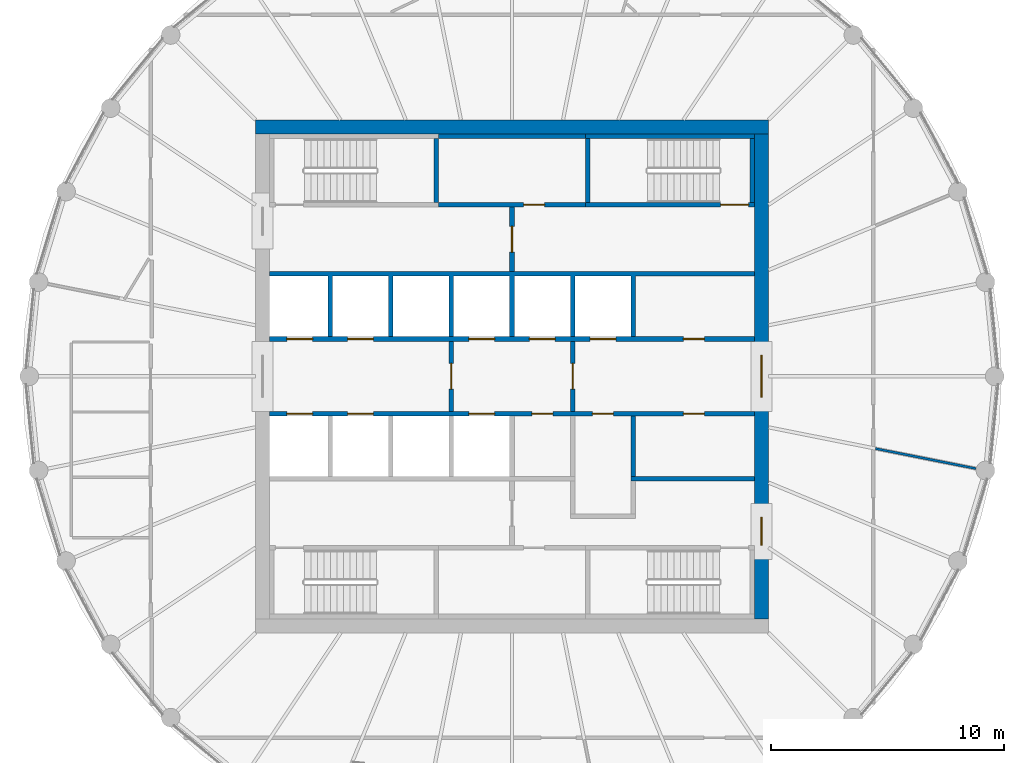
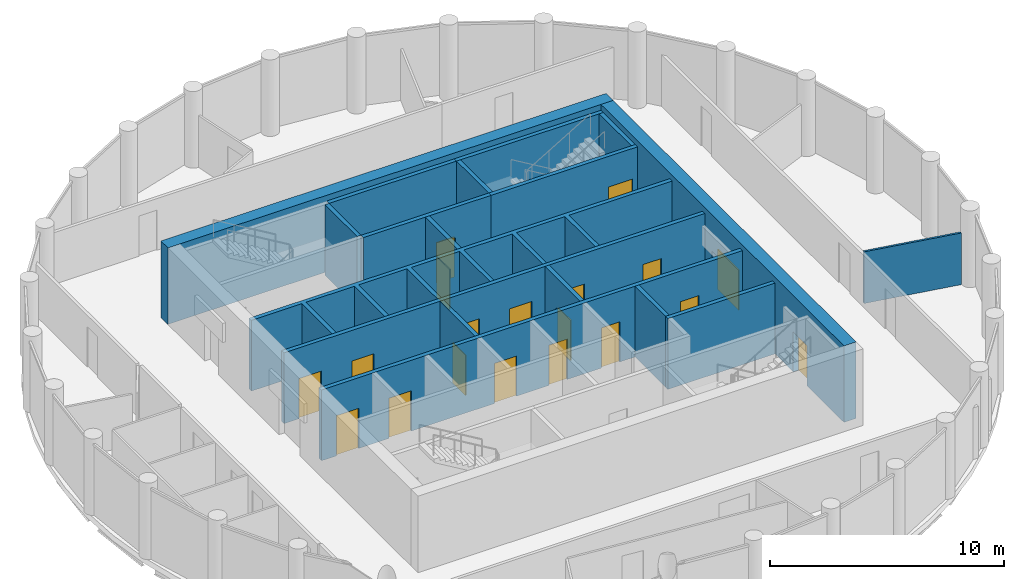
# One storey, part 5 of 7: 19 doors, 18 walls, 19 openings.
"""IFC4 building model written with IfcOpenShell, lengths in metres."""

import ifcopenshell
import ifcopenshell.guid

model = None  # the IFC model being written
_history = None  # IfcOwnerHistory: only IFC2X3 demands one
_inside = {}  # id of a spatial element -> (the spatial element, [elements in it])
_under = {}  # id of a project, library or spatial element -> (it, [spatial elements below it])
_declared = {}  # id of a project -> (the project, [libraries it declares])
_typed = {}  # id of a type object -> (the type object, [elements of that type])
_made_of = {}  # id of a material, layer set ... -> (it, [elements and type objects made of it])


def new_model(schema):
    """Start an empty IFC model of exactly this schema.

    Asked for "IFC4X3", IfcOpenShell would pick the latest addendum, in which some entities
    have other attributes; the version numbers below select the first issue.
    IFC2X3 requires an IfcOwnerHistory on every rooted entity: one is made here for all.
    """
    global model, _history
    if schema == "IFC4X3":
        model = ifcopenshell.file(schema_version=(4, 3, 0, 0))
    else:
        model = ifcopenshell.file(schema=schema)
    _inside.clear()
    _under.clear()
    _declared.clear()
    _typed.clear()
    _made_of.clear()
    _history = None
    if model.schema == "IFC2X3":
        org = make("IfcOrganization", Name="unknown")
        user = make(
            "IfcPersonAndOrganization",
            ThePerson=make("IfcPerson", FamilyName="unknown"),
            TheOrganization=org,
        )
        app = make(
            "IfcApplication",
            ApplicationDeveloper=org,
            Version="unknown",
            ApplicationFullName="unknown",
            ApplicationIdentifier="unknown",
        )
        _history = make(
            "IfcOwnerHistory",
            OwningUser=user,
            OwningApplication=app,
            ChangeAction="ADDED",
            CreationDate=0,
        )
    return model


def make(cls, **values):
    """One entity of the class cls with the attributes given. An attribute that is None is left unset."""
    return model.create_entity(
        cls, **{name: value for name, value in values.items() if value is not None}
    )


def rooted(cls, **values):
    """An entity with a GlobalId (a new one), such as an element, a storey or a relation."""
    return make(cls, GlobalId=ifcopenshell.guid.new(), OwnerHistory=_history, **values)


def si_unit(unit_type, name, prefix=None):
    """IfcSIUnit, for example si_unit("LENGTHUNIT", "METRE", prefix="MILLI")."""
    return make("IfcSIUnit", UnitType=unit_type, Prefix=prefix, Name=name)


def assignment(units):
    """IfcUnitAssignment: the units of a project."""
    return None if units is None else make("IfcUnitAssignment", Units=units)


def point(xyz):
    """IfcCartesianPoint."""
    return None if xyz is None else make("IfcCartesianPoint", Coordinates=xyz)


def direction(xyz):
    """IfcDirection."""
    return None if xyz is None else make("IfcDirection", DirectionRatios=xyz)


def frame(location, z_axis=None, x_axis=None):
    """IfcAxis2Placement3D, a coordinate frame: its origin and axes. An axis left out is left unset."""
    return make(
        "IfcAxis2Placement3D",
        Location=point(location),
        Axis=direction(z_axis),
        RefDirection=direction(x_axis),
    )


def frame_2d(location, x_axis=None):
    """IfcAxis2Placement2D, a coordinate frame in the plane: its origin and x axis."""
    return make(
        "IfcAxis2Placement2D", Location=point(location), RefDirection=direction(x_axis)
    )


def origin():
    """The frame at (0, 0, 0) with its axes left unset."""
    return frame((0.0, 0.0, 0.0))


def place(relative_to, where):
    """IfcLocalPlacement: puts the frame where relative to a parent placement (None: the world)."""
    return make(
        "IfcLocalPlacement", PlacementRelTo=relative_to, RelativePlacement=where
    )


def context(
    kind, dimensions, precision=None, world=None, true_north=None, identifier=None
):
    """IfcGeometricRepresentationContext, for example the 3D "Model" context."""
    return make(
        "IfcGeometricRepresentationContext",
        ContextIdentifier=identifier,
        ContextType=kind,
        CoordinateSpaceDimension=dimensions,
        Precision=precision,
        WorldCoordinateSystem=world,
        TrueNorth=true_north,
    )


def subcontext(parent, identifier, kind, view, scale=None):
    """IfcGeometricRepresentationSubContext, for example "Body" below "Model"."""
    return make(
        "IfcGeometricRepresentationSubContext",
        ContextIdentifier=identifier,
        ContextType=kind,
        ParentContext=parent,
        TargetScale=scale,
        TargetView=view,
    )


def project(units=None, contexts=None):
    """IfcProject with its units and contexts."""
    return rooted(
        "IfcProject",
        Name="project",
        RepresentationContexts=contexts,
        UnitsInContext=assignment(units),
    )


def spatial(cls, under=None, at=None, **own):
    """A site, building, storey or space (cls), placed at a placement, below another one or the project."""
    s = rooted(cls, ObjectPlacement=at, **own)
    if under is not None:
        _under.setdefault(under.id(), (under, []))[1].append(s)
    return s


def polyline(points):
    """IfcPolyline through the points."""
    return make("IfcPolyline", Points=[point(p) for p in points])


def profile(cls, at=None, kind="AREA", **sizes):
    """A parametric profile (cls). Its sizes go by their IFC names, for example OverallWidth=200.0."""
    return make(cls, ProfileType=kind, Position=at, **sizes)


def rectangle(**sizes):
    """IfcRectangleProfileDef."""
    return profile("IfcRectangleProfileDef", **sizes)


def outline(outer, holes=None, kind="AREA"):
    """IfcArbitraryClosedProfileDef: a profile drawn as a closed curve; with holes, ...WithVoids."""
    if holes is None:
        return make("IfcArbitraryClosedProfileDef", ProfileType=kind, OuterCurve=outer)
    return make(
        "IfcArbitraryProfileDefWithVoids",
        ProfileType=kind,
        OuterCurve=outer,
        InnerCurves=holes,
    )


def extrude(swept, where, along, depth):
    """IfcExtrudedAreaSolid: the profile swept, set in the frame where, extruded along a direction by depth."""
    return make(
        "IfcExtrudedAreaSolid",
        SweptArea=swept,
        Position=where,
        ExtrudedDirection=direction(along),
        Depth=depth,
    )


def shape(context_of_items, identifier, shape_type, items):
    """IfcShapeRepresentation: the items that make up one representation, for example the "Body"."""
    return make(
        "IfcShapeRepresentation",
        ContextOfItems=context_of_items,
        RepresentationIdentifier=identifier,
        RepresentationType=shape_type,
        Items=items,
    )


def material(Name=None, Category=None):
    """IfcMaterial."""
    return make("IfcMaterial", Name=Name, Category=Category)


def layer(
    of_material, thickness, ventilated=None, Name=None, Category=None, Priority=None
):
    """IfcMaterialLayer: one layer of a wall or slab, of a material (None: an air gap)."""
    return make(
        "IfcMaterialLayer",
        Material=of_material,
        LayerThickness=thickness,
        IsVentilated=ventilated,
        Name=Name,
        Category=Category,
        Priority=Priority,
    )


def layer_set(layers, Name=None):
    """IfcMaterialLayerSet."""
    return make("IfcMaterialLayerSet", MaterialLayers=layers, LayerSetName=Name)


def made_of(thing, what):
    """Note that an element or type object is made of a material, layer set ...; save() writes the relation."""
    if what is not None:
        _made_of.setdefault(what.id(), (what, []))[1].append(thing)
    return thing


def type_object(cls, material=None, **own):
    """A type object (cls), such as IfcWallType, which elements share."""
    return made_of(rooted(cls, **own), material)


def element(
    cls,
    number,
    at=None,
    inside=None,
    cuts=None,
    type_object=None,
    material=None,
    context=None,
    identifier="Body",
    shape_type=None,
    held_by="IfcProductDefinitionShape",
    body=None,
    shapes=None,
    **own,
):
    """One element of the class cls, such as IfcWall. Its Tag is "e" and its number.

    at: its placement. inside: the storey or other place that contains it. cuts: it is an
    opening in that element (IfcRelVoidsElement). A single representation is given by context,
    identifier, shape_type and body (its items); several are given by shapes. held_by: the class
    of the entity that holds the representations. save() writes the other relations.
    """
    e = rooted(cls, Tag="e%d" % number, ObjectPlacement=at, **own)
    if body is not None:
        shapes = [shape(context, identifier, shape_type, body)]
    if shapes is not None:
        e.Representation = make(held_by, Representations=shapes)
    if inside is not None:
        _inside.setdefault(inside.id(), (inside, []))[1].append(e)
    if cuts is not None:
        rooted(
            "IfcRelVoidsElement", RelatingBuildingElement=cuts, RelatedOpeningElement=e
        )
    if type_object is not None:
        _typed.setdefault(type_object.id(), (type_object, []))[1].append(e)
    return made_of(e, material)


def fill(opening, filler):
    """IfcRelFillsElement: the door or window that sits in an opening."""
    return rooted(
        "IfcRelFillsElement",
        RelatingOpeningElement=opening,
        RelatedBuildingElement=filler,
    )


def aggregate(whole, parts):
    """IfcRelAggregates: a whole, such as a stair, and the parts it consists of."""
    return rooted("IfcRelAggregates", RelatingObject=whole, RelatedObjects=parts)


def save(model, path):
    """Write the relations noted so far, then the file.

    IfcRelAggregates (storeys below a building ...), IfcRelContainedInSpatialStructure (elements
    in a storey), IfcRelDefinesByType, IfcRelAssociatesMaterial and IfcRelDeclares: one each for
    every whole, place, type object, material and project.
    """
    for whole, parts in _under.values():
        aggregate(whole, parts)
    for where, things in _inside.values():
        rooted(
            "IfcRelContainedInSpatialStructure",
            RelatedElements=things,
            RelatingStructure=where,
        )
    for kind, things in _typed.values():
        rooted("IfcRelDefinesByType", RelatedObjects=things, RelatingType=kind)
    for what, things in _made_of.values():
        rooted("IfcRelAssociatesMaterial", RelatedObjects=things, RelatingMaterial=what)
    for by, libraries in _declared.values():
        rooted("IfcRelDeclares", RelatingContext=by, RelatedDefinitions=libraries)
    model.write(path)


model = new_model("IFC4")

# Units and contexts
model_context = context("Model", 3, precision=1e-05, world=origin(), true_north=direction((0.0, 1.0)))
body_context = subcontext(model_context, "Body", "Model", "MODEL_VIEW")
ifc_project = project(units=[si_unit("LENGTHUNIT", "METRE"), si_unit("AREAUNIT", "SQUARE_METRE"), si_unit("VOLUMEUNIT", "CUBIC_METRE"), si_unit("PLANEANGLEUNIT", "RADIAN"), si_unit("MASSUNIT", "GRAM", prefix="KILO")], contexts=[model_context])

# Site, building, storey
site_placement = place(None, origin())
site = spatial("IfcSite", under=ifc_project, at=site_placement, CompositionType="ELEMENT")
building_placement = place(site_placement, origin())
building = spatial("IfcBuilding", under=site, at=building_placement, Name="Corvane Civic Tower", CompositionType="ELEMENT")
storey_placement = place(building_placement, frame((0.0, 0.0, 328.5)))
storey = spatial("IfcBuildingStorey", under=building, at=storey_placement, Name="L78", CompositionType="ELEMENT", Elevation=328.5)

# Wall
ifc_material_1 = material(Name="Concrete C40/50", Category="concrete")
ifc_layer_1 = layer(ifc_material_1, 0.60009765625)
ifc_layer_set_1 = layer_set([ifc_layer_1], Name="Concrete C40/50")
wall_type_1 = type_object("IfcWallType", Name="CORE WALL 600 C40/50", PredefinedType="SHEAR", material=ifc_layer_set_1)
wall_1_placement = place(storey_placement, frame((-11.0, 10.699951171875, 0.0), z_axis=(0.0, 0.0, 1.0), x_axis=(1.0, 0.0, 0.0)))
element("IfcWall", 1, at=wall_1_placement, inside=storey, type_object=wall_type_1, Name="W-L78-core-N", PredefinedType="SHEAR", context=body_context, shape_type="SweptSolid", body=[
    extrude(rectangle(XDim=22.0, YDim=0.60009765625, at=frame_2d((11.0, 0.0))), origin(), (0.0, 0.0, 1.0), 4.0),
])

# Wall, openings, doors
wall_2_placement = place(storey_placement, frame((10.699951171875, -10.39990234375, 0.0), z_axis=(0.0, 0.0, 1.0), x_axis=(0.0, 1.0, 0.0)))
wall_2 = element("IfcWall", 2, at=wall_2_placement, inside=storey, type_object=wall_type_1, Name="W-L78-core-E", PredefinedType="SHEAR", context=body_context, shape_type="SweptSolid", body=[
    extrude(rectangle(XDim=20.7998046875, YDim=0.60009765625, at=frame_2d((10.39990234375, 0.0))), origin(), (0.0, 0.0, 1.0), 4.0),
])
opening_1_placement = place(wall_2_placement, frame((9.5, 0.0, 0.0)))
opening_1 = element("IfcOpeningElement", 3, at=opening_1_placement, cuts=wall_2, Name="Opening L78.C16", PredefinedType="OPENING", context=body_context, shape_type="SweptSolid", body=[
    extrude(rectangle(XDim=1.800048828125, YDim=2.10009765625, at=frame_2d((0.89990234375, 1.050048828125))), frame((0.0, 0.31005859375, 0.0), z_axis=(0.0, -1.0, 0.0), x_axis=(1.0, 0.0, 0.0)), (0.0, 0.0, 1.0), 0.6201171875),
])
opening_2_placement = place(wall_2_placement, frame((3.14990234375, 0.0, 0.0)))
opening_2 = element("IfcOpeningElement", 4, at=opening_2_placement, cuts=wall_2, Name="Opening L78.C18", PredefinedType="OPENING", context=body_context, shape_type="SweptSolid", body=[
    extrude(rectangle(XDim=1.199951171875, YDim=2.10009765625, at=frame_2d((0.60009765625, 1.050048828125))), frame((0.0, 0.31005859375, 0.0), z_axis=(0.0, -1.0, 0.0), x_axis=(1.0, 0.0, 0.0)), (0.0, 0.0, 1.0), 0.6201171875),
])
ifc_material_2 = material(Name="Steel fire door leaf", Category="steel")
door_type_1 = type_object("IfcDoorType", Name="CR-DOOR-CORE-1800", OperationType="DOUBLE_DOOR_SINGLE_SWING", PredefinedType="DOOR", material=ifc_material_2)
door_1_placement = place(opening_1_placement, origin())
door_1 = element("IfcDoor", 5, at=door_1_placement, inside=storey, type_object=door_type_1, Name="L78 door", OperationType="DOUBLE_DOOR_SINGLE_SWING", OverallHeight=2.10009765625, OverallWidth=1.800048828125, PredefinedType="DOOR", context=body_context, shape_type="SweptSolid", body=[
    extrude(rectangle(XDim=1.800048828125, YDim=2.10009765625, at=frame_2d((0.89990234375, 1.050048828125))), frame((0.0, 0.02490234375, 0.0), z_axis=(0.0, -1.0, 0.0), x_axis=(1.0, 0.0, 0.0)), (0.0, 0.0, 1.0), 0.050048828125),
])
fill(opening_1, door_1)
door_2_placement = place(opening_2_placement, origin())
door_2 = element("IfcDoor", 6, at=door_2_placement, inside=storey, type_object=door_type_1, Name="L78 door", OperationType="DOUBLE_DOOR_SINGLE_SWING", OverallHeight=2.10009765625, OverallWidth=1.199951171875, PredefinedType="DOOR", context=body_context, shape_type="SweptSolid", body=[
    extrude(rectangle(XDim=1.199951171875, YDim=2.10009765625, at=frame_2d((0.60009765625, 1.050048828125))), frame((0.0, 0.02490234375, 0.0), z_axis=(0.0, -1.0, 0.0), x_axis=(1.0, 0.0, 0.0)), (0.0, 0.0, 1.0), 0.050048828125),
])
fill(opening_2, door_2)

ifc_material_3 = material(Name="Concrete C30/37", Category="concrete")
ifc_layer_2 = layer(ifc_material_3, 0.199951171875)
ifc_layer_set_2 = layer_set([ifc_layer_2], Name="Concrete C30/37")
wall_type_2 = type_object("IfcWallType", Name="CR-WALL-200", PredefinedType="PARTITIONING", material=ifc_layer_set_2)
wall_3_placement = place(storey_placement, frame((-10.39990234375, -1.60009765625, 0.0), z_axis=(0.0, 0.0, 1.0), x_axis=(1.0, 0.0, 0.0)))
wall_3 = element("IfcWall", 7, at=wall_3_placement, inside=storey, type_object=wall_type_2, Name="L78 lift shaft wall", PredefinedType="PARTITIONING", context=body_context, shape_type="SweptSolid", body=[
    extrude(rectangle(XDim=20.7998046875, YDim=0.199951171875, at=frame_2d((10.39990234375, 0.0))), origin(), (0.0, 0.0, 1.0), 3.699951171875),
])
opening_3_placement = place(wall_3_placement, frame((0.75, 0.0, 0.0)))
opening_3 = element("IfcOpeningElement", 8, at=opening_3_placement, cuts=wall_3, Name="Opening LD", PredefinedType="OPENING", context=body_context, shape_type="SweptSolid", body=[
    extrude(rectangle(XDim=1.10009765625, YDim=2.10009765625, at=frame_2d((0.550048828125, 1.050048828125))), frame((0.0, 0.10986328125, 0.0), z_axis=(0.0, -1.0, 0.0), x_axis=(1.0, 0.0, 0.0)), (0.0, 0.0, 1.0), 0.219970703125),
])
opening_4_placement = place(wall_3_placement, frame((3.35009765625, 0.0, 0.0)))
opening_4 = element("IfcOpeningElement", 9, at=opening_4_placement, cuts=wall_3, Name="Opening LD", PredefinedType="OPENING", context=body_context, shape_type="SweptSolid", body=[
    extrude(rectangle(XDim=1.10009765625, YDim=2.10009765625, at=frame_2d((0.550048828125, 1.050048828125))), frame((0.0, 0.10986328125, 0.0), z_axis=(0.0, -1.0, 0.0), x_axis=(1.0, 0.0, 0.0)), (0.0, 0.0, 1.0), 0.219970703125),
])
opening_5_placement = place(wall_3_placement, frame((8.550048828125, 0.0, 0.0)))
opening_5 = element("IfcOpeningElement", 10, at=opening_5_placement, cuts=wall_3, Name="Opening LD", PredefinedType="OPENING", context=body_context, shape_type="SweptSolid", body=[
    extrude(rectangle(XDim=1.10009765625, YDim=2.10009765625, at=frame_2d((0.550048828125, 1.050048828125))), frame((0.0, 0.10986328125, 0.0), z_axis=(0.0, -1.0, 0.0), x_axis=(1.0, 0.0, 0.0)), (0.0, 0.0, 1.0), 0.219970703125),
])
opening_6_placement = place(wall_3_placement, frame((11.25, 0.0, 0.0)))
opening_6 = element("IfcOpeningElement", 11, at=opening_6_placement, cuts=wall_3, Name="Opening L78.C02", PredefinedType="OPENING", context=body_context, shape_type="SweptSolid", body=[
    extrude(rectangle(XDim=0.89990234375, YDim=2.10009765625, at=frame_2d((0.449951171875, 1.050048828125))), frame((0.0, 0.10986328125, 0.0), z_axis=(0.0, -1.0, 0.0), x_axis=(1.0, 0.0, 0.0)), (0.0, 0.0, 1.0), 0.219970703125),
])
opening_7_placement = place(wall_3_placement, frame((13.85009765625, 0.0, 0.0)))
opening_7 = element("IfcOpeningElement", 12, at=opening_7_placement, cuts=wall_3, Name="Opening L78.C03", PredefinedType="OPENING", context=body_context, shape_type="SweptSolid", body=[
    extrude(rectangle(XDim=0.89990234375, YDim=2.10009765625, at=frame_2d((0.449951171875, 1.050048828125))), frame((0.0, 0.10986328125, 0.0), z_axis=(0.0, -1.0, 0.0), x_axis=(1.0, 0.0, 0.0)), (0.0, 0.0, 1.0), 0.219970703125),
])
opening_8_placement = place(wall_3_placement, frame((17.75, 0.0, 0.0)))
opening_8 = element("IfcOpeningElement", 13, at=opening_8_placement, cuts=wall_3, Name="Opening L78.C04", PredefinedType="OPENING", context=body_context, shape_type="SweptSolid", body=[
    extrude(rectangle(XDim=0.89990234375, YDim=2.10009765625, at=frame_2d((0.449951171875, 1.050048828125))), frame((0.0, 0.10986328125, 0.0), z_axis=(0.0, -1.0, 0.0), x_axis=(1.0, 0.0, 0.0)), (0.0, 0.0, 1.0), 0.219970703125),
])
ifc_material_4 = material(Name="Steel fire door leaf", Category="steel")
door_type_2 = type_object("IfcDoorType", Name="CR-DOOR-900", OperationType="SINGLE_SWING_LEFT", PredefinedType="DOOR", material=ifc_material_4)
door_3_placement = place(opening_6_placement, origin())
door_3 = element("IfcDoor", 14, at=door_3_placement, inside=storey, type_object=door_type_2, Name="L78 door", OperationType="SINGLE_SWING_LEFT", OverallHeight=2.10009765625, OverallWidth=0.89990234375, PredefinedType="DOOR", context=body_context, shape_type="SweptSolid", body=[
    extrude(rectangle(XDim=0.89990234375, YDim=2.10009765625, at=frame_2d((0.449951171875, 1.050048828125))), frame((0.0, 0.02490234375, 0.0), z_axis=(0.0, -1.0, 0.0), x_axis=(1.0, 0.0, 0.0)), (0.0, 0.0, 1.0), 0.050048828125),
])
fill(opening_6, door_3)
door_4_placement = place(opening_7_placement, origin())
door_4 = element("IfcDoor", 15, at=door_4_placement, inside=storey, type_object=door_type_2, Name="L78 door", OperationType="SINGLE_SWING_LEFT", OverallHeight=2.10009765625, OverallWidth=0.89990234375, PredefinedType="DOOR", context=body_context, shape_type="SweptSolid", body=[
    extrude(rectangle(XDim=0.89990234375, YDim=2.10009765625, at=frame_2d((0.449951171875, 1.050048828125))), frame((0.0, 0.02490234375, 0.0), z_axis=(0.0, -1.0, 0.0), x_axis=(1.0, 0.0, 0.0)), (0.0, 0.0, 1.0), 0.050048828125),
])
fill(opening_7, door_4)
door_5_placement = place(opening_8_placement, origin())
door_5 = element("IfcDoor", 16, at=door_5_placement, inside=storey, type_object=door_type_2, Name="L78 door", OperationType="SINGLE_SWING_LEFT", OverallHeight=2.10009765625, OverallWidth=0.89990234375, PredefinedType="DOOR", context=body_context, shape_type="SweptSolid", body=[
    extrude(rectangle(XDim=0.89990234375, YDim=2.10009765625, at=frame_2d((0.449951171875, 1.050048828125))), frame((0.0, 0.02490234375, 0.0), z_axis=(0.0, -1.0, 0.0), x_axis=(1.0, 0.0, 0.0)), (0.0, 0.0, 1.0), 0.050048828125),
])
fill(opening_8, door_5)
ifc_material_5 = material(Name="Stainless steel 316 door leaves", Category="steel")
door_type_3 = type_object("IfcDoorType", Name="LD", OperationType="DOUBLE_DOOR_SLIDING", PredefinedType="DOOR", material=ifc_material_5)
door_6_placement = place(opening_3_placement, origin())
door_6 = element("IfcDoor", 17, at=door_6_placement, inside=storey, type_object=door_type_3, Name="L78 landing door", OperationType="DOUBLE_DOOR_SLIDING", OverallHeight=2.10009765625, OverallWidth=1.10009765625, PredefinedType="DOOR", context=body_context, shape_type="SweptSolid", body=[
    extrude(rectangle(XDim=1.10009765625, YDim=2.10009765625, at=frame_2d((0.550048828125, 1.050048828125))), frame((0.0, 0.02490234375, 0.0), z_axis=(0.0, -1.0, 0.0), x_axis=(1.0, 0.0, 0.0)), (0.0, 0.0, 1.0), 0.050048828125),
])
fill(opening_3, door_6)
door_7_placement = place(opening_4_placement, origin())
door_7 = element("IfcDoor", 18, at=door_7_placement, inside=storey, type_object=door_type_3, Name="L78 landing door", OperationType="DOUBLE_DOOR_SLIDING", OverallHeight=2.10009765625, OverallWidth=1.10009765625, PredefinedType="DOOR", context=body_context, shape_type="SweptSolid", body=[
    extrude(rectangle(XDim=1.10009765625, YDim=2.10009765625, at=frame_2d((0.550048828125, 1.050048828125))), frame((0.0, 0.02490234375, 0.0), z_axis=(0.0, -1.0, 0.0), x_axis=(1.0, 0.0, 0.0)), (0.0, 0.0, 1.0), 0.050048828125),
])
fill(opening_4, door_7)
door_8_placement = place(opening_5_placement, origin())
door_8 = element("IfcDoor", 19, at=door_8_placement, inside=storey, type_object=door_type_3, Name="L78 landing door", OperationType="DOUBLE_DOOR_SLIDING", OverallHeight=2.10009765625, OverallWidth=1.10009765625, PredefinedType="DOOR", context=body_context, shape_type="SweptSolid", body=[
    extrude(rectangle(XDim=1.10009765625, YDim=2.10009765625, at=frame_2d((0.550048828125, 1.050048828125))), frame((0.0, 0.02490234375, 0.0), z_axis=(0.0, -1.0, 0.0), x_axis=(1.0, 0.0, 0.0)), (0.0, 0.0, 1.0), 0.050048828125),
])
fill(opening_5, door_8)

wall_4_placement = place(storey_placement, frame((-10.39990234375, 1.60009765625, 0.0), z_axis=(0.0, 0.0, 1.0), x_axis=(1.0, 0.0, 0.0)))
wall_4 = element("IfcWall", 20, at=wall_4_placement, inside=storey, type_object=wall_type_2, Name="L78 lift shaft wall", PredefinedType="PARTITIONING", context=body_context, shape_type="SweptSolid", body=[
    extrude(rectangle(XDim=20.7998046875, YDim=0.199951171875, at=frame_2d((10.39990234375, 0.0))), origin(), (0.0, 0.0, 1.0), 3.699951171875),
])
opening_9_placement = place(wall_4_placement, frame((0.75, 0.0, 0.0)))
opening_9 = element("IfcOpeningElement", 21, at=opening_9_placement, cuts=wall_4, Name="Opening LD", PredefinedType="OPENING", context=body_context, shape_type="SweptSolid", body=[
    extrude(rectangle(XDim=1.10009765625, YDim=2.10009765625, at=frame_2d((0.550048828125, 1.050048828125))), frame((0.0, 0.10986328125, 0.0), z_axis=(0.0, -1.0, 0.0), x_axis=(1.0, 0.0, 0.0)), (0.0, 0.0, 1.0), 0.219970703125),
])
opening_10_placement = place(wall_4_placement, frame((3.35009765625, 0.0, 0.0)))
opening_10 = element("IfcOpeningElement", 22, at=opening_10_placement, cuts=wall_4, Name="Opening LD", PredefinedType="OPENING", context=body_context, shape_type="SweptSolid", body=[
    extrude(rectangle(XDim=1.10009765625, YDim=2.10009765625, at=frame_2d((0.550048828125, 1.050048828125))), frame((0.0, 0.10986328125, 0.0), z_axis=(0.0, -1.0, 0.0), x_axis=(1.0, 0.0, 0.0)), (0.0, 0.0, 1.0), 0.219970703125),
])
opening_11_placement = place(wall_4_placement, frame((8.550048828125, 0.0, 0.0)))
opening_11 = element("IfcOpeningElement", 23, at=opening_11_placement, cuts=wall_4, Name="Opening LD", PredefinedType="OPENING", context=body_context, shape_type="SweptSolid", body=[
    extrude(rectangle(XDim=1.10009765625, YDim=2.10009765625, at=frame_2d((0.550048828125, 1.050048828125))), frame((0.0, 0.10986328125, 0.0), z_axis=(0.0, -1.0, 0.0), x_axis=(1.0, 0.0, 0.0)), (0.0, 0.0, 1.0), 0.219970703125),
])
opening_12_placement = place(wall_4_placement, frame((11.14990234375, 0.0, 0.0)))
opening_12 = element("IfcOpeningElement", 24, at=opening_12_placement, cuts=wall_4, Name="Opening LD", PredefinedType="OPENING", context=body_context, shape_type="SweptSolid", body=[
    extrude(rectangle(XDim=1.10009765625, YDim=2.10009765625, at=frame_2d((0.550048828125, 1.050048828125))), frame((0.0, 0.10986328125, 0.0), z_axis=(0.0, -1.0, 0.0), x_axis=(1.0, 0.0, 0.0)), (0.0, 0.0, 1.0), 0.219970703125),
])
opening_13_placement = place(wall_4_placement, frame((13.75, 0.0, 0.0)))
opening_13 = element("IfcOpeningElement", 25, at=opening_13_placement, cuts=wall_4, Name="Opening LD", PredefinedType="OPENING", context=body_context, shape_type="SweptSolid", body=[
    extrude(rectangle(XDim=1.10009765625, YDim=2.10009765625, at=frame_2d((0.550048828125, 1.050048828125))), frame((0.0, 0.10986328125, 0.0), z_axis=(0.0, -1.0, 0.0), x_axis=(1.0, 0.0, 0.0)), (0.0, 0.0, 1.0), 0.219970703125),
])
opening_14_placement = place(wall_4_placement, frame((17.75, 0.0, 0.0)))
opening_14 = element("IfcOpeningElement", 26, at=opening_14_placement, cuts=wall_4, Name="Opening L78.C01", PredefinedType="OPENING", context=body_context, shape_type="SweptSolid", body=[
    extrude(rectangle(XDim=0.89990234375, YDim=2.10009765625, at=frame_2d((0.449951171875, 1.050048828125))), frame((0.0, 0.10986328125, 0.0), z_axis=(0.0, -1.0, 0.0), x_axis=(1.0, 0.0, 0.0)), (0.0, 0.0, 1.0), 0.219970703125),
])
door_9_placement = place(opening_14_placement, origin())
door_9 = element("IfcDoor", 27, at=door_9_placement, inside=storey, type_object=door_type_2, Name="L78 door", OperationType="SINGLE_SWING_LEFT", OverallHeight=2.10009765625, OverallWidth=0.89990234375, PredefinedType="DOOR", context=body_context, shape_type="SweptSolid", body=[
    extrude(rectangle(XDim=0.89990234375, YDim=2.10009765625, at=frame_2d((0.449951171875, 1.050048828125))), frame((0.0, 0.02490234375, 0.0), z_axis=(0.0, -1.0, 0.0), x_axis=(1.0, 0.0, 0.0)), (0.0, 0.0, 1.0), 0.050048828125),
])
fill(opening_14, door_9)
door_10_placement = place(opening_9_placement, origin())
door_10 = element("IfcDoor", 28, at=door_10_placement, inside=storey, type_object=door_type_3, Name="L78 landing door", OperationType="DOUBLE_DOOR_SLIDING", OverallHeight=2.10009765625, OverallWidth=1.10009765625, PredefinedType="DOOR", context=body_context, shape_type="SweptSolid", body=[
    extrude(rectangle(XDim=1.10009765625, YDim=2.10009765625, at=frame_2d((0.550048828125, 1.050048828125))), frame((0.0, 0.02490234375, 0.0), z_axis=(0.0, -1.0, 0.0), x_axis=(1.0, 0.0, 0.0)), (0.0, 0.0, 1.0), 0.050048828125),
])
fill(opening_9, door_10)
door_11_placement = place(opening_10_placement, origin())
door_11 = element("IfcDoor", 29, at=door_11_placement, inside=storey, type_object=door_type_3, Name="L78 landing door", OperationType="DOUBLE_DOOR_SLIDING", OverallHeight=2.10009765625, OverallWidth=1.10009765625, PredefinedType="DOOR", context=body_context, shape_type="SweptSolid", body=[
    extrude(rectangle(XDim=1.10009765625, YDim=2.10009765625, at=frame_2d((0.550048828125, 1.050048828125))), frame((0.0, 0.02490234375, 0.0), z_axis=(0.0, -1.0, 0.0), x_axis=(1.0, 0.0, 0.0)), (0.0, 0.0, 1.0), 0.050048828125),
])
fill(opening_10, door_11)
door_12_placement = place(opening_11_placement, origin())
door_12 = element("IfcDoor", 30, at=door_12_placement, inside=storey, type_object=door_type_3, Name="L78 landing door", OperationType="DOUBLE_DOOR_SLIDING", OverallHeight=2.10009765625, OverallWidth=1.10009765625, PredefinedType="DOOR", context=body_context, shape_type="SweptSolid", body=[
    extrude(rectangle(XDim=1.10009765625, YDim=2.10009765625, at=frame_2d((0.550048828125, 1.050048828125))), frame((0.0, 0.02490234375, 0.0), z_axis=(0.0, -1.0, 0.0), x_axis=(1.0, 0.0, 0.0)), (0.0, 0.0, 1.0), 0.050048828125),
])
fill(opening_11, door_12)
door_13_placement = place(opening_12_placement, origin())
door_13 = element("IfcDoor", 31, at=door_13_placement, inside=storey, type_object=door_type_3, Name="L78 landing door", OperationType="DOUBLE_DOOR_SLIDING", OverallHeight=2.10009765625, OverallWidth=1.10009765625, PredefinedType="DOOR", context=body_context, shape_type="SweptSolid", body=[
    extrude(rectangle(XDim=1.10009765625, YDim=2.10009765625, at=frame_2d((0.550048828125, 1.050048828125))), frame((0.0, 0.02490234375, 0.0), z_axis=(0.0, -1.0, 0.0), x_axis=(1.0, 0.0, 0.0)), (0.0, 0.0, 1.0), 0.050048828125),
])
fill(opening_12, door_13)
door_14_placement = place(opening_13_placement, origin())
door_14 = element("IfcDoor", 32, at=door_14_placement, inside=storey, type_object=door_type_3, Name="L78 landing door", OperationType="DOUBLE_DOOR_SLIDING", OverallHeight=2.10009765625, OverallWidth=1.10009765625, PredefinedType="DOOR", context=body_context, shape_type="SweptSolid", body=[
    extrude(rectangle(XDim=1.10009765625, YDim=2.10009765625, at=frame_2d((0.550048828125, 1.050048828125))), frame((0.0, 0.02490234375, 0.0), z_axis=(0.0, -1.0, 0.0), x_axis=(1.0, 0.0, 0.0)), (0.0, 0.0, 1.0), 0.050048828125),
])
fill(opening_13, door_14)

# Wall, opening, door
wall_5_placement = place(storey_placement, frame((-3.14990234375, 7.35009765625, 0.0), z_axis=(0.0, 0.0, 1.0), x_axis=(1.0, 0.0, 0.0)))
wall_5 = element("IfcWall", 33, at=wall_5_placement, inside=storey, type_object=wall_type_2, Name="L78 partition wall", PredefinedType="PARTITIONING", context=body_context, shape_type="SweptSolid", body=[
    extrude(rectangle(XDim=6.2998046875, YDim=0.199951171875, at=frame_2d((3.14990234375, 0.0))), origin(), (0.0, 0.0, 1.0), 3.699951171875),
])
opening_15_placement = place(wall_5_placement, frame((3.64990234375, 0.0, 0.0)))
opening_15 = element("IfcOpeningElement", 34, at=opening_15_placement, cuts=wall_5, Name="Opening L78.C05", PredefinedType="OPENING", context=body_context, shape_type="SweptSolid", body=[
    extrude(rectangle(XDim=0.89990234375, YDim=2.10009765625, at=frame_2d((0.449951171875, 1.050048828125))), frame((0.0, 0.10986328125, 0.0), z_axis=(0.0, -1.0, 0.0), x_axis=(1.0, 0.0, 0.0)), (0.0, 0.0, 1.0), 0.219970703125),
])
door_15_placement = place(opening_15_placement, origin())
door_15 = element("IfcDoor", 35, at=door_15_placement, inside=storey, type_object=door_type_2, Name="L78 door", OperationType="SINGLE_SWING_LEFT", OverallHeight=2.10009765625, OverallWidth=0.89990234375, PredefinedType="DOOR", context=body_context, shape_type="SweptSolid", body=[
    extrude(rectangle(XDim=0.89990234375, YDim=2.10009765625, at=frame_2d((0.449951171875, 1.050048828125))), frame((0.0, 0.02490234375, 0.0), z_axis=(0.0, -1.0, 0.0), x_axis=(1.0, 0.0, 0.0)), (0.0, 0.0, 1.0), 0.050048828125),
])
fill(opening_15, door_15)

wall_6_placement = place(storey_placement, frame((-2.60009765625, -1.5, 0.0), z_axis=(0.0, 0.0, 1.0), x_axis=(0.0, 1.0, 0.0)))
wall_6 = element("IfcWall", 36, at=wall_6_placement, inside=storey, type_object=wall_type_2, Name="L78 firefighting lobby wall", PredefinedType="PARTITIONING", context=body_context, shape_type="SweptSolid", body=[
    extrude(rectangle(XDim=3.0, YDim=0.199951171875, at=frame_2d((1.5, 0.0))), origin(), (0.0, 0.0, 1.0), 3.699951171875),
])
opening_16_placement = place(wall_6_placement, frame((0.949951171875, 0.0, 0.0)))
opening_16 = element("IfcOpeningElement", 37, at=opening_16_placement, cuts=wall_6, Name="Opening L78.C11", PredefinedType="OPENING", context=body_context, shape_type="SweptSolid", body=[
    extrude(rectangle(XDim=1.10009765625, YDim=2.10009765625, at=frame_2d((0.550048828125, 1.050048828125))), frame((0.0, 0.10986328125, 0.0), z_axis=(0.0, -1.0, 0.0), x_axis=(1.0, 0.0, 0.0)), (0.0, 0.0, 1.0), 0.219970703125),
])
ifc_material_6 = material(Name="Steel fire door leaf", Category="steel")
door_type_4 = type_object("IfcDoorType", Name="CR-DOOR-FFL-1100", OperationType="SINGLE_SWING_LEFT", PredefinedType="DOOR", material=ifc_material_6)
door_16_placement = place(opening_16_placement, origin())
door_16 = element("IfcDoor", 38, at=door_16_placement, inside=storey, type_object=door_type_4, Name="L78 lobby door", OperationType="SINGLE_SWING_LEFT", OverallHeight=2.10009765625, OverallWidth=1.10009765625, PredefinedType="DOOR", context=body_context, shape_type="SweptSolid", body=[
    extrude(rectangle(XDim=1.10009765625, YDim=2.10009765625, at=frame_2d((0.550048828125, 1.050048828125))), frame((0.0, 0.02490234375, 0.0), z_axis=(0.0, -1.0, 0.0), x_axis=(1.0, 0.0, 0.0)), (0.0, 0.0, 1.0), 0.050048828125),
])
fill(opening_16, door_16)

wall_7_placement = place(storey_placement, frame((0.0, 4.5, 0.0), z_axis=(0.0, 0.0, 1.0), x_axis=(0.0, 1.0, 0.0)))
wall_7 = element("IfcWall", 39, at=wall_7_placement, inside=storey, type_object=wall_type_2, Name="L78 core partition wall", PredefinedType="PARTITIONING", context=body_context, shape_type="SweptSolid", body=[
    extrude(rectangle(XDim=2.75, YDim=0.199951171875, at=frame_2d((1.375, 0.0))), origin(), (0.0, 0.0, 1.0), 3.699951171875),
])
opening_17_placement = place(wall_7_placement, frame((0.824951171875, 0.0, 0.0)))
opening_17 = element("IfcOpeningElement", 40, at=opening_17_placement, cuts=wall_7, Name="Opening L78.C13", PredefinedType="OPENING", context=body_context, shape_type="SweptSolid", body=[
    extrude(rectangle(XDim=1.10009765625, YDim=2.10009765625, at=frame_2d((0.550048828125, 1.050048828125))), frame((0.0, 0.10986328125, 0.0), z_axis=(0.0, -1.0, 0.0), x_axis=(1.0, 0.0, 0.0)), (0.0, 0.0, 1.0), 0.219970703125),
])
door_17_placement = place(opening_17_placement, origin())
door_17 = element("IfcDoor", 41, at=door_17_placement, inside=storey, type_object=door_type_4, Name="L78 lobby door", OperationType="SINGLE_SWING_LEFT", OverallHeight=2.10009765625, OverallWidth=1.10009765625, PredefinedType="DOOR", context=body_context, shape_type="SweptSolid", body=[
    extrude(rectangle(XDim=1.10009765625, YDim=2.10009765625, at=frame_2d((0.550048828125, 1.050048828125))), frame((0.0, 0.02490234375, 0.0), z_axis=(0.0, -1.0, 0.0), x_axis=(1.0, 0.0, 0.0)), (0.0, 0.0, 1.0), 0.050048828125),
])
fill(opening_17, door_17)

wall_8_placement = place(storey_placement, frame((2.60009765625, -1.5, 0.0), z_axis=(0.0, 0.0, 1.0), x_axis=(0.0, 1.0, 0.0)))
wall_8 = element("IfcWall", 42, at=wall_8_placement, inside=storey, type_object=wall_type_2, Name="L78 firefighting lobby wall", PredefinedType="PARTITIONING", context=body_context, shape_type="SweptSolid", body=[
    extrude(rectangle(XDim=3.0, YDim=0.199951171875, at=frame_2d((1.5, 0.0))), origin(), (0.0, 0.0, 1.0), 3.699951171875),
])
opening_18_placement = place(wall_8_placement, frame((0.949951171875, 0.0, 0.0)))
opening_18 = element("IfcOpeningElement", 43, at=opening_18_placement, cuts=wall_8, Name="Opening L78.C12", PredefinedType="OPENING", context=body_context, shape_type="SweptSolid", body=[
    extrude(rectangle(XDim=1.10009765625, YDim=2.10009765625, at=frame_2d((0.550048828125, 1.050048828125))), frame((0.0, 0.10986328125, 0.0), z_axis=(0.0, -1.0, 0.0), x_axis=(1.0, 0.0, 0.0)), (0.0, 0.0, 1.0), 0.219970703125),
])
door_18_placement = place(opening_18_placement, origin())
door_18 = element("IfcDoor", 44, at=door_18_placement, inside=storey, type_object=door_type_4, Name="L78 lobby door", OperationType="SINGLE_SWING_LEFT", OverallHeight=2.10009765625, OverallWidth=1.10009765625, PredefinedType="DOOR", context=body_context, shape_type="SweptSolid", body=[
    extrude(rectangle(XDim=1.10009765625, YDim=2.10009765625, at=frame_2d((0.550048828125, 1.050048828125))), frame((0.0, 0.02490234375, 0.0), z_axis=(0.0, -1.0, 0.0), x_axis=(1.0, 0.0, 0.0)), (0.0, 0.0, 1.0), 0.050048828125),
])
fill(opening_18, door_18)

# Walls
wall_9_placement = place(storey_placement, origin())
element("IfcWall", 45, at=wall_9_placement, inside=storey, type_object=wall_type_2, Name="L78 core partition wall", PredefinedType="PARTITIONING", context=body_context, shape_type="SweptSolid", body=[
    extrude(outline(polyline([(10.39990234375, -4.5), (5.10009765625, -4.5), (5.10009765625, -4.300048828125), (10.39990234375, -4.300048828125), (10.39990234375, -4.5)])), origin(), (0.0, 0.0, 1.0), 3.699951171875),
])
wall_10_placement = place(storey_placement, origin())
element("IfcWall", 46, at=wall_10_placement, inside=storey, type_object=wall_type_2, Name="L78 core partition wall", PredefinedType="PARTITIONING", context=body_context, shape_type="SweptSolid", body=[
    extrude(outline(polyline([(5.300048828125, -1.699951171875), (5.300048828125, -4.2998046875), (5.10009765625, -4.2998046875), (5.10009765625, -1.699951171875), (5.300048828125, -1.699951171875)])), origin(), (0.0, 0.0, 1.0), 3.699951171875),
])
wall_11_placement = place(storey_placement, origin())
element("IfcWall", 47, at=wall_11_placement, inside=storey, type_object=wall_type_2, Name="L78 core partition wall", PredefinedType="PARTITIONING", context=body_context, shape_type="SweptSolid", body=[
    extrude(outline(polyline([(-7.699951171875, 1.699951171875), (-7.89990234375, 1.699951171875), (-7.89990234375, 4.300048828125), (-10.39990234375, 4.300048828125), (-10.39990234375, 4.5), (10.39990234375, 4.5), (10.39990234375, 4.300048828125), (5.300048828125, 4.300048828125), (5.300048828125, 1.699951171875), (5.10009765625, 1.699951171875), (5.10009765625, 4.300048828125), (2.699951171875, 4.300048828125), (2.699951171875, 1.699951171875), (2.5, 1.699951171875), (2.5, 4.300048828125), (0.10009765625, 4.300048828125), (0.10009765625, 1.699951171875), (-0.10009765625, 1.699951171875), (-0.10009765625, 4.300048828125), (-2.5, 4.300048828125), (-2.5, 1.699951171875), (-2.699951171875, 1.699951171875), (-2.699951171875, 4.300048828125), (-5.10009765625, 4.300048828125), (-5.10009765625, 1.699951171875), (-5.300048828125, 1.699951171875), (-5.300048828125, 4.300048828125), (-7.699951171875, 4.300048828125), (-7.699951171875, 1.699951171875)])), origin(), (0.0, 0.0, 1.0), 3.699951171875),
])
wall_12_placement = place(storey_placement, origin())
element("IfcWall", 48, at=wall_12_placement, inside=storey, type_object=wall_type_2, Name="L78 core partition wall", PredefinedType="PARTITIONING", context=body_context, shape_type="SweptSolid", body=[
    extrude(outline(polyline([(3.14990234375, 10.199951171875), (-3.14990234375, 10.199951171875), (-3.14990234375, 10.39990234375), (3.14990234375, 10.39990234375), (3.14990234375, 10.199951171875)])), origin(), (0.0, 0.0, 1.0), 3.699951171875),
])
ifc_material_7 = material(Name="Plasterboard")
ifc_layer_3 = layer(ifc_material_7, 0.10009765625)
ifc_layer_set_3 = layer_set([ifc_layer_3], Name="Plasterboard")
wall_type_3 = type_object("IfcWallType", Name="Partition 100 plasterboard on studs", PredefinedType="PARTITIONING", material=ifc_layer_set_3)
wall_13_placement = place(storey_placement, frame((15.584716796875, -3.10009765625, 0.0), z_axis=(0.0, 0.0, 1.0), x_axis=(0.98078501504, -0.195091656081, 0.0)))
element("IfcWall", 49, at=wall_13_placement, inside=storey, type_object=wall_type_3, Name="Partition L78.011", PredefinedType="PARTITIONING", context=body_context, shape_type="SweptSolid", body=[
    extrude(rectangle(XDim=4.39990234375, YDim=0.10009765625, at=frame_2d((2.199951171875, 0.0))), origin(), (0.0, 0.0, 1.0), 2.699951171875),
])

# Wall, opening, door
ifc_material_8 = material(Name="Concrete C50/60", Category="concrete")
ifc_layer_4 = layer(ifc_material_8, 0.199951171875)
ifc_layer_set_4 = layer_set([ifc_layer_4], Name="Concrete C50/60")
wall_type_4 = type_object("IfcWallType", Name="ST-WALL-200", PredefinedType="SHEAR", material=ifc_layer_set_4)
wall_14_placement = place(storey_placement, frame((3.14990234375, 7.35009765625, 0.0), z_axis=(0.0, 0.0, 1.0), x_axis=(1.0, 0.0, 0.0)))
wall_14 = element("IfcWall", 50, at=wall_14_placement, inside=storey, type_object=wall_type_4, Name="L78 stair enclosure wall", PredefinedType="SHEAR", context=body_context, shape_type="SweptSolid", body=[
    extrude(rectangle(XDim=7.25, YDim=0.199951171875, at=frame_2d((3.625, 0.0))), origin(), (0.0, 0.0, 1.0), 3.699951171875),
])
opening_19_placement = place(wall_14_placement, frame((5.800048828125, 0.0, 0.0)))
opening_19 = element("IfcOpeningElement", 51, at=opening_19_placement, cuts=wall_14, Name="Opening L78.C07", PredefinedType="OPENING", context=body_context, shape_type="SweptSolid", body=[
    extrude(rectangle(XDim=1.199951171875, YDim=2.10009765625, at=frame_2d((0.60009765625, 1.050048828125))), frame((0.0, 0.10986328125, 0.0), z_axis=(0.0, -1.0, 0.0), x_axis=(1.0, 0.0, 0.0)), (0.0, 0.0, 1.0), 0.219970703125),
])
ifc_material_9 = material(Name="Steel fire door leaf", Category="steel")
door_type_5 = type_object("IfcDoorType", Name="ST-DOOR-1200", OperationType="SINGLE_SWING_RIGHT", PredefinedType="DOOR", material=ifc_material_9)
door_19_placement = place(opening_19_placement, origin())
door_19 = element("IfcDoor", 52, at=door_19_placement, inside=storey, type_object=door_type_5, Name="L78 stair door", OperationType="SINGLE_SWING_RIGHT", OverallHeight=2.10009765625, OverallWidth=1.199951171875, PredefinedType="DOOR", context=body_context, shape_type="SweptSolid", body=[
    extrude(rectangle(XDim=1.199951171875, YDim=2.10009765625, at=frame_2d((0.60009765625, 1.050048828125))), frame((0.0, 0.02490234375, 0.0), z_axis=(0.0, -1.0, 0.0), x_axis=(1.0, 0.0, 0.0)), (0.0, 0.0, 1.0), 0.050048828125),
])
fill(opening_19, door_19)

# Walls
wall_15_placement = place(storey_placement, origin())
element("IfcWall", 53, at=wall_15_placement, inside=storey, type_object=wall_type_4, Name="L78 stair enclosure wall", PredefinedType="SHEAR", context=body_context, shape_type="SweptSolid", body=[
    extrude(outline(polyline([(10.39990234375, 10.199951171875), (3.14990234375, 10.199951171875), (3.14990234375, 10.39990234375), (10.39990234375, 10.39990234375), (10.39990234375, 10.199951171875)])), origin(), (0.0, 0.0, 1.0), 3.699951171875),
])
wall_16_placement = place(storey_placement, origin())
element("IfcWall", 54, at=wall_16_placement, inside=storey, type_object=wall_type_4, Name="L78 stair enclosure wall", PredefinedType="SHEAR", context=body_context, shape_type="SweptSolid", body=[
    extrude(outline(polyline([(-3.14990234375, 7.449951171875), (-3.35009765625, 7.449951171875), (-3.35009765625, 10.199951171875), (-3.14990234375, 10.199951171875), (-3.14990234375, 7.449951171875)])), origin(), (0.0, 0.0, 1.0), 3.699951171875),
])
wall_17_placement = place(storey_placement, origin())
element("IfcWall", 55, at=wall_17_placement, inside=storey, type_object=wall_type_4, Name="L78 stair enclosure wall", PredefinedType="SHEAR", context=body_context, shape_type="SweptSolid", body=[
    extrude(outline(polyline([(3.35009765625, 7.449951171875), (3.14990234375, 7.449951171875), (3.14990234375, 10.199951171875), (3.35009765625, 10.199951171875), (3.35009765625, 7.449951171875)])), origin(), (0.0, 0.0, 1.0), 3.699951171875),
])
wall_18_placement = place(storey_placement, origin())
element("IfcWall", 56, at=wall_18_placement, inside=storey, type_object=wall_type_4, Name="L78 stair enclosure wall", PredefinedType="SHEAR", context=body_context, shape_type="SweptSolid", body=[
    extrude(outline(polyline([(10.39990234375, 7.449951171875), (10.199951171875, 7.449951171875), (10.199951171875, 10.199951171875), (10.39990234375, 10.199951171875), (10.39990234375, 7.449951171875)])), origin(), (0.0, 0.0, 1.0), 3.699951171875),
])

save(model, "model.ifc")
